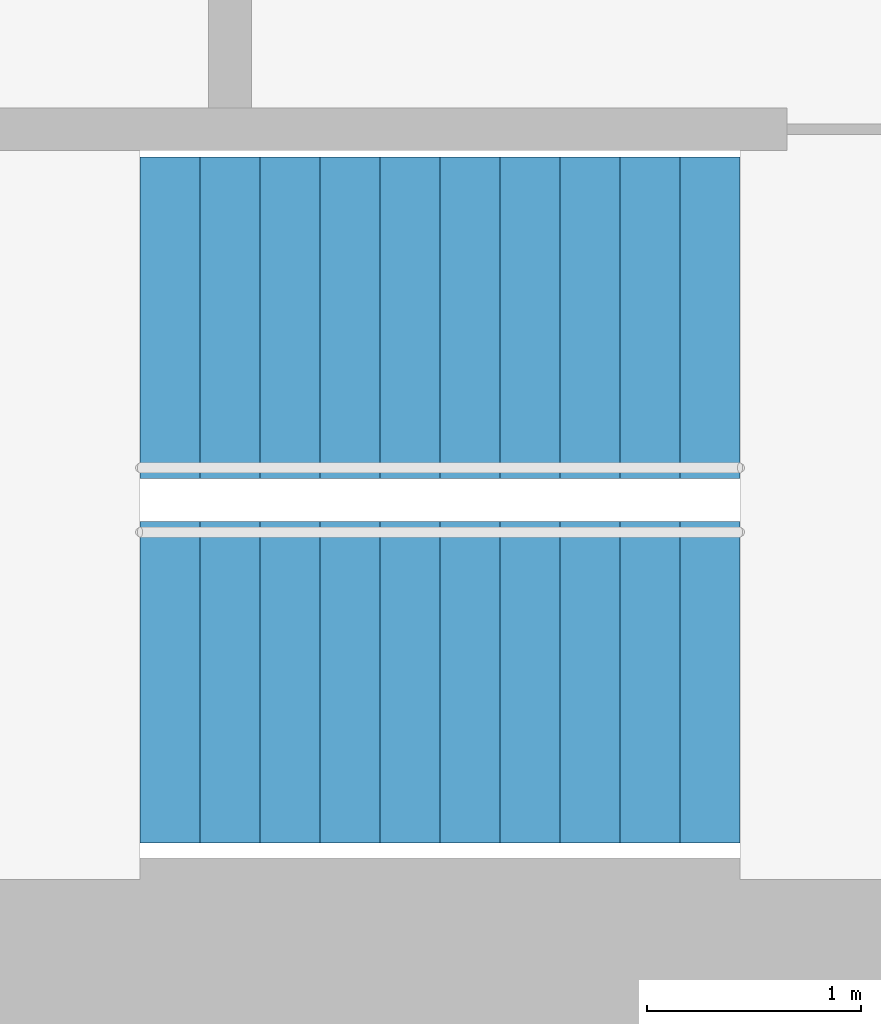
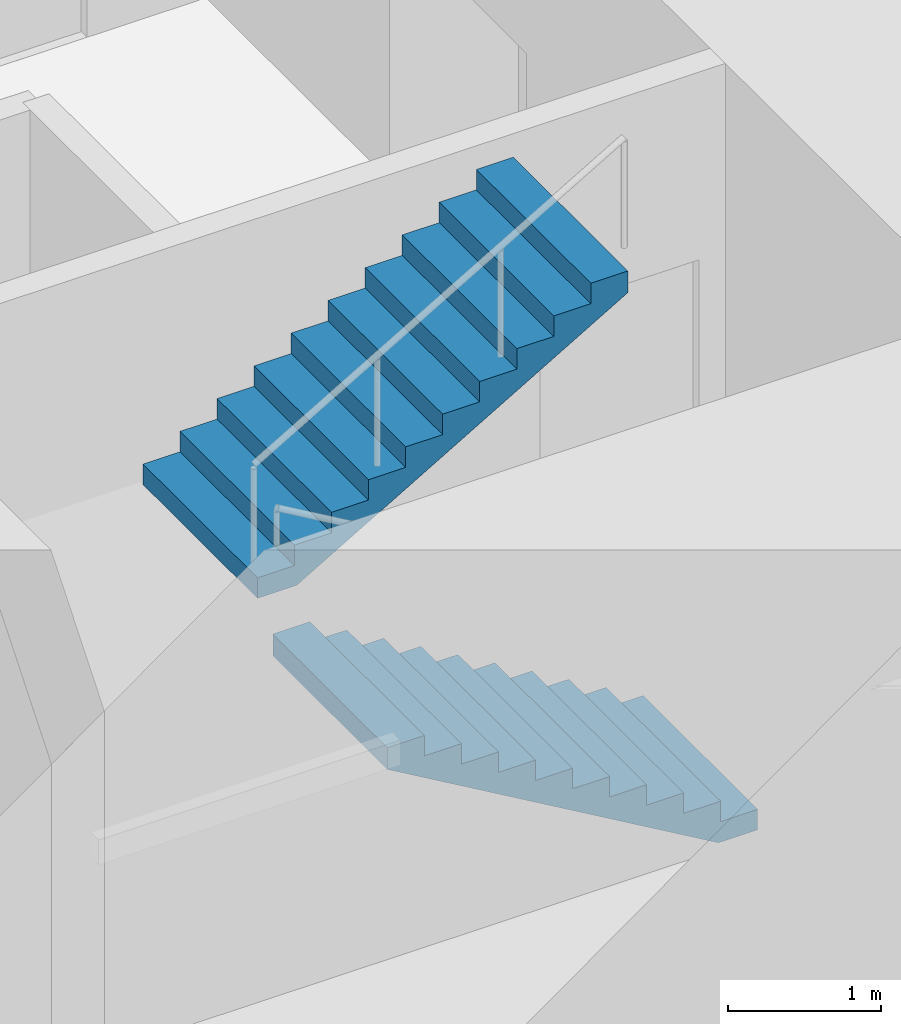
# One storey, part 14 of 15: 2 stair flights, 1 element without a shape of its own.
"""IFC4 building model written with IfcOpenShell, lengths in metres."""

from ifc_helpers import new_model, si_unit, direction, frame, origin, place, context, subcontext, project, spatial, triangles, material, type_object, element, aggregate, save


model = new_model("IFC4")

# Units and contexts
model_context = context("Model", 3, precision=1e-05, world=origin(), true_north=direction((0.0, 1.0)))
body_context = subcontext(model_context, "Body", "Model", "MODEL_VIEW")
ifc_project = project(units=[si_unit("LENGTHUNIT", "METRE"), si_unit("AREAUNIT", "SQUARE_METRE"), si_unit("VOLUMEUNIT", "CUBIC_METRE"), si_unit("PLANEANGLEUNIT", "RADIAN"), si_unit("MASSUNIT", "GRAM", prefix="KILO")], contexts=[model_context])

# Site, building, storey
site_placement = place(None, origin())
site = spatial("IfcSite", under=ifc_project, at=site_placement, CompositionType="ELEMENT")
building_placement = place(site_placement, origin())
building = spatial("IfcBuilding", under=site, at=building_placement, Name="Lantaw Convention Tower", CompositionType="ELEMENT")
storey_placement = place(building_placement, frame((0.0, 0.0, 94.60009765625)))
storey = spatial("IfcBuildingStorey", under=building, at=storey_placement, Name="L22", CompositionType="ELEMENT", Elevation=94.60009765625)

# Stair, stair flights
ifc_material = material(Name="Concrete C35/45", Category="concrete")
stair_type = type_object("IfcStairType", Name="Exit stair 1500 riser 163.64 in 2 flights", PredefinedType="HALF_TURN_STAIR", material=ifc_material)
stair_placement = place(storey_placement, origin())
stair = element("IfcStair", 1, at=stair_placement, inside=storey, type_object=stair_type, Name="Exit stair S2 L22", PredefinedType="HALF_TURN_STAIR")
stair_flight_type = type_object("IfcStairFlightType", Name="Stair flight 1500 riser 163.64", PredefinedType="STRAIGHT", material=ifc_material)
stair_flight_1_placement = place(storey_placement, frame((10.580078125, -5.97998046875, 0.0), z_axis=(0.0, 0.0, 1.0), x_axis=(-1.0, 0.0, 0.0)))
stair_flight_1 = element("IfcStairFlight", 2, at=stair_flight_1_placement, type_object=stair_flight_type, Name="S2 flight 1", NumberOfRisers=11, NumberOfTreads=10, PredefinedType="STRAIGHT", RiserHeight=0.163636364, TreadLength=0.28, context=body_context, shape_type="Tessellation", body=[
    triangles([(0.0, 0.75, 0.0), (0.0, 0.75, 0.163636364), (0.28, 0.75, 0.0), (0.28, 0.75, 0.163636364), (0.28, 0.75, 0.327272728), (0.2970904571225277, 0.75, 0.0), (0.2970904571225277, 0.75, 0.327272728), (0.56, 0.75, 0.1536484344906131), (0.56, 0.75, 0.327272728), (0.56, 0.75, 0.490909092), (0.8400000000000001, 0.75, 0.3172847984906131), (0.8400000000000001, 0.75, 0.490909092), (0.8400000000000001, 0.75, 0.654545456), (1.12, 0.75, 0.4809211624906131), (1.12, 0.75, 0.654545456), (1.12, 0.75, 0.8181818200000001), (1.4000000000000001, 0.75, 0.6445575264906132), (1.4000000000000001, 0.75, 0.8181818200000001), (1.4000000000000001, 0.75, 0.981818184), (1.6800000000000002, 0.75, 0.8081938904906131), (1.6800000000000002, 0.75, 0.981818184), (1.6800000000000002, 0.75, 1.145454548), (1.9600000000000002, 0.75, 0.9718302544906131), (1.9600000000000002, 0.75, 1.145454548), (1.9600000000000002, 0.75, 1.309090912), (2.24, 0.75, 1.135466618490613), (2.24, 0.75, 1.309090912), (2.24, 0.75, 1.472727276), (2.5200000000000005, 0.75, 1.2991029824906133), (2.5200000000000005, 0.75, 1.472727276), (2.5200000000000005, 0.75, 1.6363636400000001), (2.8000000000000003, 0.75, 1.462739346490613), (2.8000000000000003, 0.75, 1.6363636400000001), (0.0, -0.75, 0.0), (0.0, -0.75, 0.163636364), (0.28, -0.75, 0.0), (0.28, -0.75, 0.163636364), (0.28, -0.75, 0.327272728), (0.2970904571225277, -0.75, 0.0), (0.2970904571225277, -0.75, 0.327272728), (0.56, -0.75, 0.1536484344906131), (0.56, -0.75, 0.327272728), (0.56, -0.75, 0.490909092), (0.8400000000000001, -0.75, 0.3172847984906131), (0.8400000000000001, -0.75, 0.490909092), (0.8400000000000001, -0.75, 0.654545456), (1.12, -0.75, 0.4809211624906131), (1.12, -0.75, 0.654545456), (1.12, -0.75, 0.8181818200000001), (1.4000000000000001, -0.75, 0.6445575264906132), (1.4000000000000001, -0.75, 0.8181818200000001), (1.4000000000000001, -0.75, 0.981818184), (1.6800000000000002, -0.75, 0.8081938904906131), (1.6800000000000002, -0.75, 0.981818184), (1.6800000000000002, -0.75, 1.145454548), (1.9600000000000002, -0.75, 0.9718302544906131), (1.9600000000000002, -0.75, 1.145454548), (1.9600000000000002, -0.75, 1.309090912), (2.24, -0.75, 1.135466618490613), (2.24, -0.75, 1.309090912), (2.24, -0.75, 1.472727276), (2.5200000000000005, -0.75, 1.2991029824906133), (2.5200000000000005, -0.75, 1.472727276), (2.5200000000000005, -0.75, 1.6363636400000001), (2.8000000000000003, -0.75, 1.462739346490613), (2.8000000000000003, -0.75, 1.6363636400000001), (0.0, 0.15000000000000002, 0.163636364), (0.0, 0.15000000000000002, 0.0), (0.0, 0.0, 0.163636364), (0.0, 0.0, 0.0), (0.0, -0.15000000000000002, 0.163636364), (0.0, -0.15000000000000002, 0.0), (0.28, 0.15000000000000002, 0.327272728), (0.28, 0.15000000000000002, 0.163636364), (0.28, 0.0, 0.327272728), (0.28, 0.0, 0.163636364), (0.28, -0.15000000000000002, 0.327272728), (0.28, -0.15000000000000002, 0.163636364), (0.56, 0.15000000000000002, 0.490909092), (0.56, 0.15000000000000002, 0.327272728), (0.56, 0.0, 0.490909092), (0.56, 0.0, 0.327272728), (0.56, -0.15000000000000002, 0.490909092), (0.56, -0.15000000000000002, 0.327272728), (0.8400000000000001, 0.15000000000000002, 0.654545456), (0.8400000000000001, 0.15000000000000002, 0.490909092), (0.8400000000000001, 0.0, 0.654545456), (0.8400000000000001, 0.0, 0.490909092), (0.8400000000000001, -0.15000000000000002, 0.654545456), (0.8400000000000001, -0.15000000000000002, 0.490909092), (1.12, 0.15000000000000002, 0.8181818200000001), (1.12, 0.15000000000000002, 0.654545456), (1.12, 0.0, 0.8181818200000001), (1.12, 0.0, 0.654545456), (1.12, -0.15000000000000002, 0.8181818200000001), (1.12, -0.15000000000000002, 0.654545456), (1.4000000000000001, 0.15000000000000002, 0.981818184), (1.4000000000000001, 0.15000000000000002, 0.8181818200000001), (1.4000000000000001, 0.0, 0.981818184), (1.4000000000000001, 0.0, 0.8181818200000001), (1.4000000000000001, -0.15000000000000002, 0.981818184), (1.4000000000000001, -0.15000000000000002, 0.8181818200000001), (1.6800000000000002, 0.15000000000000002, 1.145454548), (1.6800000000000002, 0.15000000000000002, 0.981818184), (1.6800000000000002, 0.0, 1.145454548), (1.6800000000000002, 0.0, 0.981818184), (1.6800000000000002, -0.15000000000000002, 1.145454548), (1.6800000000000002, -0.15000000000000002, 0.981818184), (1.9600000000000002, 0.15000000000000002, 1.309090912), (1.9600000000000002, 0.15000000000000002, 1.145454548), (1.9600000000000002, 0.0, 1.309090912), (1.9600000000000002, 0.0, 1.145454548), (1.9600000000000002, -0.15000000000000002, 1.309090912), (1.9600000000000002, -0.15000000000000002, 1.145454548), (2.24, 0.15000000000000002, 1.472727276), (2.24, 0.15000000000000002, 1.309090912), (2.24, 0.0, 1.472727276), (2.24, 0.0, 1.309090912), (2.24, -0.15000000000000002, 1.472727276), (2.24, -0.15000000000000002, 1.309090912), (2.5200000000000005, 0.15000000000000002, 1.6363636400000001), (2.5200000000000005, 0.15000000000000002, 1.472727276), (2.5200000000000005, 0.0, 1.6363636400000001), (2.5200000000000005, 0.0, 1.472727276), (2.5200000000000005, -0.15000000000000002, 1.6363636400000001), (2.5200000000000005, -0.15000000000000002, 1.472727276), (0.2970904571225277, 0.15000000000000002, 0.327272728), (0.2970904571225277, 0.0, 0.327272728), (0.2970904571225277, -0.15000000000000002, 0.327272728), (2.8000000000000003, 0.15000000000000002, 1.6363636400000001), (2.8000000000000003, 0.0, 1.6363636400000001), (2.8000000000000003, -0.15000000000000002, 1.6363636400000001), (2.8000000000000003, 0.15000000000000002, 1.462739346490613), (2.8000000000000003, 0.0, 1.462739346490613), (2.8000000000000003, -0.15000000000000002, 1.462739346490613), (2.5200000000000005, 0.15000000000000002, 1.2991029824906133), (2.5200000000000005, 0.0, 1.2991029824906133), (2.5200000000000005, -0.15000000000000002, 1.2991029824906133), (2.24, 0.15000000000000002, 1.135466618490613), (2.24, 0.0, 1.135466618490613), (2.24, -0.15000000000000002, 1.135466618490613), (1.9600000000000002, 0.15000000000000002, 0.9718302544906131), (1.9600000000000002, 0.0, 0.9718302544906131), (1.9600000000000002, -0.15000000000000002, 0.9718302544906131), (1.6800000000000002, 0.15000000000000002, 0.8081938904906131), (1.6800000000000002, 0.0, 0.8081938904906131), (1.6800000000000002, -0.15000000000000002, 0.8081938904906131), (1.4000000000000001, 0.15000000000000002, 0.6445575264906132), (1.4000000000000001, 0.0, 0.6445575264906132), (1.4000000000000001, -0.15000000000000002, 0.6445575264906132), (1.12, 0.15000000000000002, 0.4809211624906131), (1.12, 0.0, 0.4809211624906131), (1.12, -0.15000000000000002, 0.4809211624906131), (0.8400000000000001, 0.15000000000000002, 0.3172847984906131), (0.8400000000000001, 0.0, 0.3172847984906131), (0.8400000000000001, -0.15000000000000002, 0.3172847984906131), (0.56, 0.15000000000000002, 0.1536484344906131), (0.56, 0.0, 0.1536484344906131), (0.56, -0.15000000000000002, 0.1536484344906131), (0.2970904571225277, 0.15000000000000002, 0.0), (0.2970904571225277, 0.0, 0.0), (0.2970904571225277, -0.15000000000000002, 0.0), (0.28, 0.15000000000000002, 0.0), (0.28, 0.0, 0.0), (0.28, -0.15000000000000002, 0.0)], [[1, 4, 3], [1, 2, 4], [3, 4, 6], [4, 7, 6], [4, 5, 7], [6, 9, 8], [6, 7, 9], [8, 9, 11], [9, 12, 11], [9, 10, 12], [11, 12, 14], [12, 15, 14], [12, 13, 15], [14, 15, 17], [15, 18, 17], [15, 16, 18], [17, 18, 20], [18, 21, 20], [18, 19, 21], [20, 21, 23], [21, 24, 23], [21, 22, 24], [23, 24, 26], [24, 27, 26], [24, 25, 27], [26, 27, 29], [27, 30, 29], [27, 28, 30], [29, 30, 32], [30, 33, 32], [30, 31, 33], [34, 36, 37], [34, 37, 35], [36, 39, 37], [37, 39, 40], [37, 40, 38], [39, 41, 42], [39, 42, 40], [41, 44, 42], [42, 44, 45], [42, 45, 43], [44, 47, 45], [45, 47, 48], [45, 48, 46], [47, 50, 48], [48, 50, 51], [48, 51, 49], [50, 53, 51], [51, 53, 54], [51, 54, 52], [53, 56, 54], [54, 56, 57], [54, 57, 55], [56, 59, 57], [57, 59, 60], [57, 60, 58], [59, 62, 60], [60, 62, 63], [60, 63, 61], [62, 65, 63], [63, 65, 66], [63, 66, 64], [1, 67, 2], [1, 68, 67], [68, 69, 67], [68, 70, 69], [70, 71, 69], [70, 72, 71], [72, 35, 71], [72, 34, 35], [4, 73, 5], [4, 74, 73], [74, 75, 73], [74, 76, 75], [76, 77, 75], [76, 78, 77], [78, 38, 77], [78, 37, 38], [9, 79, 10], [9, 80, 79], [80, 81, 79], [80, 82, 81], [82, 83, 81], [82, 84, 83], [84, 43, 83], [84, 42, 43], [12, 85, 13], [12, 86, 85], [86, 87, 85], [86, 88, 87], [88, 89, 87], [88, 90, 89], [90, 46, 89], [90, 45, 46], [15, 91, 16], [15, 92, 91], [92, 93, 91], [92, 94, 93], [94, 95, 93], [94, 96, 95], [96, 49, 95], [96, 48, 49], [18, 97, 19], [18, 98, 97], [98, 99, 97], [98, 100, 99], [100, 101, 99], [100, 102, 101], [102, 52, 101], [102, 51, 52], [21, 103, 22], [21, 104, 103], [104, 105, 103], [104, 106, 105], [106, 107, 105], [106, 108, 107], [108, 55, 107], [108, 54, 55], [24, 109, 25], [24, 110, 109], [110, 111, 109], [110, 112, 111], [112, 113, 111], [112, 114, 113], [114, 58, 113], [114, 57, 58], [27, 115, 28], [27, 116, 115], [116, 117, 115], [116, 118, 117], [118, 119, 117], [118, 120, 119], [120, 61, 119], [120, 60, 61], [30, 121, 31], [30, 122, 121], [122, 123, 121], [122, 124, 123], [124, 125, 123], [124, 126, 125], [126, 64, 125], [126, 63, 64], [2, 74, 4], [2, 67, 74], [67, 76, 74], [67, 69, 76], [69, 78, 76], [69, 71, 78], [71, 37, 78], [71, 35, 37], [5, 127, 7], [5, 73, 127], [73, 128, 127], [73, 75, 128], [75, 129, 128], [75, 77, 129], [77, 40, 129], [77, 38, 40], [7, 80, 9], [7, 127, 80], [127, 82, 80], [127, 128, 82], [128, 84, 82], [128, 129, 84], [129, 42, 84], [129, 40, 42], [10, 86, 12], [10, 79, 86], [79, 88, 86], [79, 81, 88], [81, 90, 88], [81, 83, 90], [83, 45, 90], [83, 43, 45], [13, 92, 15], [13, 85, 92], [85, 94, 92], [85, 87, 94], [87, 96, 94], [87, 89, 96], [89, 48, 96], [89, 46, 48], [16, 98, 18], [16, 91, 98], [91, 100, 98], [91, 93, 100], [93, 102, 100], [93, 95, 102], [95, 51, 102], [95, 49, 51], [19, 104, 21], [19, 97, 104], [97, 106, 104], [97, 99, 106], [99, 108, 106], [99, 101, 108], [101, 54, 108], [101, 52, 54], [22, 110, 24], [22, 103, 110], [103, 112, 110], [103, 105, 112], [105, 114, 112], [105, 107, 114], [107, 57, 114], [107, 55, 57], [25, 116, 27], [25, 109, 116], [109, 118, 116], [109, 111, 118], [111, 120, 118], [111, 113, 120], [113, 60, 120], [113, 58, 60], [28, 122, 30], [28, 115, 122], [115, 124, 122], [115, 117, 124], [117, 126, 124], [117, 119, 126], [119, 63, 126], [119, 61, 63], [31, 130, 33], [31, 121, 130], [121, 131, 130], [121, 123, 131], [123, 132, 131], [123, 125, 132], [125, 66, 132], [125, 64, 66], [33, 133, 32], [33, 130, 133], [130, 134, 133], [130, 131, 134], [131, 135, 134], [131, 132, 135], [132, 65, 135], [132, 66, 65], [32, 136, 29], [32, 133, 136], [133, 137, 136], [133, 134, 137], [134, 138, 137], [134, 135, 138], [135, 62, 138], [135, 65, 62], [29, 139, 26], [29, 136, 139], [136, 140, 139], [136, 137, 140], [137, 141, 140], [137, 138, 141], [138, 59, 141], [138, 62, 59], [26, 142, 23], [26, 139, 142], [139, 143, 142], [139, 140, 143], [140, 144, 143], [140, 141, 144], [141, 56, 144], [141, 59, 56], [23, 145, 20], [23, 142, 145], [142, 146, 145], [142, 143, 146], [143, 147, 146], [143, 144, 147], [144, 53, 147], [144, 56, 53], [20, 148, 17], [20, 145, 148], [145, 149, 148], [145, 146, 149], [146, 150, 149], [146, 147, 150], [147, 50, 150], [147, 53, 50], [17, 151, 14], [17, 148, 151], [148, 152, 151], [148, 149, 152], [149, 153, 152], [149, 150, 153], [150, 47, 153], [150, 50, 47], [14, 154, 11], [14, 151, 154], [151, 155, 154], [151, 152, 155], [152, 156, 155], [152, 153, 156], [153, 44, 156], [153, 47, 44], [11, 157, 8], [11, 154, 157], [154, 158, 157], [154, 155, 158], [155, 159, 158], [155, 156, 159], [156, 41, 159], [156, 44, 41], [8, 160, 6], [8, 157, 160], [157, 161, 160], [157, 158, 161], [158, 162, 161], [158, 159, 162], [159, 39, 162], [159, 41, 39], [6, 163, 3], [6, 160, 163], [160, 164, 163], [160, 161, 164], [161, 165, 164], [161, 162, 165], [162, 36, 165], [162, 39, 36], [3, 68, 1], [3, 163, 68], [163, 70, 68], [163, 164, 70], [164, 72, 70], [164, 165, 72], [165, 34, 72], [165, 36, 34]], closed=True),
])
stair_flight_2_placement = place(storey_placement, frame((7.780029296875, -4.280029296875, 1.7998046875), z_axis=(0.0, 0.0, 1.0), x_axis=(1.0, 0.0, 0.0)))
stair_flight_2 = element("IfcStairFlight", 3, at=stair_flight_2_placement, type_object=stair_flight_type, Name="S2 flight 2", NumberOfRisers=11, NumberOfTreads=10, PredefinedType="STRAIGHT", RiserHeight=0.163636364, TreadLength=0.28, context=body_context, shape_type="Tessellation", body=[
    triangles([(0.0, 0.75, 0.0), (0.0, 0.75, 0.163636364), (0.28, 0.75, 0.0), (0.28, 0.75, 0.163636364), (0.28, 0.75, 0.327272728), (0.2970904571225277, 0.75, 0.0), (0.2970904571225277, 0.75, 0.327272728), (0.56, 0.75, 0.1536484344906131), (0.56, 0.75, 0.327272728), (0.56, 0.75, 0.490909092), (0.8400000000000001, 0.75, 0.3172847984906131), (0.8400000000000001, 0.75, 0.490909092), (0.8400000000000001, 0.75, 0.654545456), (1.12, 0.75, 0.4809211624906131), (1.12, 0.75, 0.654545456), (1.12, 0.75, 0.8181818200000001), (1.4000000000000001, 0.75, 0.6445575264906132), (1.4000000000000001, 0.75, 0.8181818200000001), (1.4000000000000001, 0.75, 0.981818184), (1.6800000000000002, 0.75, 0.8081938904906131), (1.6800000000000002, 0.75, 0.981818184), (1.6800000000000002, 0.75, 1.145454548), (1.9600000000000002, 0.75, 0.9718302544906131), (1.9600000000000002, 0.75, 1.145454548), (1.9600000000000002, 0.75, 1.309090912), (2.24, 0.75, 1.135466618490613), (2.24, 0.75, 1.309090912), (2.24, 0.75, 1.472727276), (2.5200000000000005, 0.75, 1.2991029824906133), (2.5200000000000005, 0.75, 1.472727276), (2.5200000000000005, 0.75, 1.6363636400000001), (2.8000000000000003, 0.75, 1.462739346490613), (2.8000000000000003, 0.75, 1.6363636400000001), (0.0, -0.75, 0.0), (0.0, -0.75, 0.163636364), (0.28, -0.75, 0.0), (0.28, -0.75, 0.163636364), (0.28, -0.75, 0.327272728), (0.2970904571225277, -0.75, 0.0), (0.2970904571225277, -0.75, 0.327272728), (0.56, -0.75, 0.1536484344906131), (0.56, -0.75, 0.327272728), (0.56, -0.75, 0.490909092), (0.8400000000000001, -0.75, 0.3172847984906131), (0.8400000000000001, -0.75, 0.490909092), (0.8400000000000001, -0.75, 0.654545456), (1.12, -0.75, 0.4809211624906131), (1.12, -0.75, 0.654545456), (1.12, -0.75, 0.8181818200000001), (1.4000000000000001, -0.75, 0.6445575264906132), (1.4000000000000001, -0.75, 0.8181818200000001), (1.4000000000000001, -0.75, 0.981818184), (1.6800000000000002, -0.75, 0.8081938904906131), (1.6800000000000002, -0.75, 0.981818184), (1.6800000000000002, -0.75, 1.145454548), (1.9600000000000002, -0.75, 0.9718302544906131), (1.9600000000000002, -0.75, 1.145454548), (1.9600000000000002, -0.75, 1.309090912), (2.24, -0.75, 1.135466618490613), (2.24, -0.75, 1.309090912), (2.24, -0.75, 1.472727276), (2.5200000000000005, -0.75, 1.2991029824906133), (2.5200000000000005, -0.75, 1.472727276), (2.5200000000000005, -0.75, 1.6363636400000001), (2.8000000000000003, -0.75, 1.462739346490613), (2.8000000000000003, -0.75, 1.6363636400000001), (0.0, 0.15000000000000002, 0.163636364), (0.0, 0.15000000000000002, 0.0), (0.0, 0.0, 0.163636364), (0.0, 0.0, 0.0), (0.0, -0.15000000000000002, 0.163636364), (0.0, -0.15000000000000002, 0.0), (0.28, 0.15000000000000002, 0.327272728), (0.28, 0.15000000000000002, 0.163636364), (0.28, 0.0, 0.327272728), (0.28, 0.0, 0.163636364), (0.28, -0.15000000000000002, 0.327272728), (0.28, -0.15000000000000002, 0.163636364), (0.56, 0.15000000000000002, 0.490909092), (0.56, 0.15000000000000002, 0.327272728), (0.56, 0.0, 0.490909092), (0.56, 0.0, 0.327272728), (0.56, -0.15000000000000002, 0.490909092), (0.56, -0.15000000000000002, 0.327272728), (0.8400000000000001, 0.15000000000000002, 0.654545456), (0.8400000000000001, 0.15000000000000002, 0.490909092), (0.8400000000000001, 0.0, 0.654545456), (0.8400000000000001, 0.0, 0.490909092), (0.8400000000000001, -0.15000000000000002, 0.654545456), (0.8400000000000001, -0.15000000000000002, 0.490909092), (1.12, 0.15000000000000002, 0.8181818200000001), (1.12, 0.15000000000000002, 0.654545456), (1.12, 0.0, 0.8181818200000001), (1.12, 0.0, 0.654545456), (1.12, -0.15000000000000002, 0.8181818200000001), (1.12, -0.15000000000000002, 0.654545456), (1.4000000000000001, 0.15000000000000002, 0.981818184), (1.4000000000000001, 0.15000000000000002, 0.8181818200000001), (1.4000000000000001, 0.0, 0.981818184), (1.4000000000000001, 0.0, 0.8181818200000001), (1.4000000000000001, -0.15000000000000002, 0.981818184), (1.4000000000000001, -0.15000000000000002, 0.8181818200000001), (1.6800000000000002, 0.15000000000000002, 1.145454548), (1.6800000000000002, 0.15000000000000002, 0.981818184), (1.6800000000000002, 0.0, 1.145454548), (1.6800000000000002, 0.0, 0.981818184), (1.6800000000000002, -0.15000000000000002, 1.145454548), (1.6800000000000002, -0.15000000000000002, 0.981818184), (1.9600000000000002, 0.15000000000000002, 1.309090912), (1.9600000000000002, 0.15000000000000002, 1.145454548), (1.9600000000000002, 0.0, 1.309090912), (1.9600000000000002, 0.0, 1.145454548), (1.9600000000000002, -0.15000000000000002, 1.309090912), (1.9600000000000002, -0.15000000000000002, 1.145454548), (2.24, 0.15000000000000002, 1.472727276), (2.24, 0.15000000000000002, 1.309090912), (2.24, 0.0, 1.472727276), (2.24, 0.0, 1.309090912), (2.24, -0.15000000000000002, 1.472727276), (2.24, -0.15000000000000002, 1.309090912), (2.5200000000000005, 0.15000000000000002, 1.6363636400000001), (2.5200000000000005, 0.15000000000000002, 1.472727276), (2.5200000000000005, 0.0, 1.6363636400000001), (2.5200000000000005, 0.0, 1.472727276), (2.5200000000000005, -0.15000000000000002, 1.6363636400000001), (2.5200000000000005, -0.15000000000000002, 1.472727276), (0.2970904571225277, 0.15000000000000002, 0.327272728), (0.2970904571225277, 0.0, 0.327272728), (0.2970904571225277, -0.15000000000000002, 0.327272728), (2.8000000000000003, 0.15000000000000002, 1.6363636400000001), (2.8000000000000003, 0.0, 1.6363636400000001), (2.8000000000000003, -0.15000000000000002, 1.6363636400000001), (2.8000000000000003, 0.15000000000000002, 1.462739346490613), (2.8000000000000003, 0.0, 1.462739346490613), (2.8000000000000003, -0.15000000000000002, 1.462739346490613), (2.5200000000000005, 0.15000000000000002, 1.2991029824906133), (2.5200000000000005, 0.0, 1.2991029824906133), (2.5200000000000005, -0.15000000000000002, 1.2991029824906133), (2.24, 0.15000000000000002, 1.135466618490613), (2.24, 0.0, 1.135466618490613), (2.24, -0.15000000000000002, 1.135466618490613), (1.9600000000000002, 0.15000000000000002, 0.9718302544906131), (1.9600000000000002, 0.0, 0.9718302544906131), (1.9600000000000002, -0.15000000000000002, 0.9718302544906131), (1.6800000000000002, 0.15000000000000002, 0.8081938904906131), (1.6800000000000002, 0.0, 0.8081938904906131), (1.6800000000000002, -0.15000000000000002, 0.8081938904906131), (1.4000000000000001, 0.15000000000000002, 0.6445575264906132), (1.4000000000000001, 0.0, 0.6445575264906132), (1.4000000000000001, -0.15000000000000002, 0.6445575264906132), (1.12, 0.15000000000000002, 0.4809211624906131), (1.12, 0.0, 0.4809211624906131), (1.12, -0.15000000000000002, 0.4809211624906131), (0.8400000000000001, 0.15000000000000002, 0.3172847984906131), (0.8400000000000001, 0.0, 0.3172847984906131), (0.8400000000000001, -0.15000000000000002, 0.3172847984906131), (0.56, 0.15000000000000002, 0.1536484344906131), (0.56, 0.0, 0.1536484344906131), (0.56, -0.15000000000000002, 0.1536484344906131), (0.2970904571225277, 0.15000000000000002, 0.0), (0.2970904571225277, 0.0, 0.0), (0.2970904571225277, -0.15000000000000002, 0.0), (0.28, 0.15000000000000002, 0.0), (0.28, 0.0, 0.0), (0.28, -0.15000000000000002, 0.0)], [[1, 4, 3], [1, 2, 4], [3, 4, 6], [4, 7, 6], [4, 5, 7], [6, 9, 8], [6, 7, 9], [8, 9, 11], [9, 12, 11], [9, 10, 12], [11, 12, 14], [12, 15, 14], [12, 13, 15], [14, 15, 17], [15, 18, 17], [15, 16, 18], [17, 18, 20], [18, 21, 20], [18, 19, 21], [20, 21, 23], [21, 24, 23], [21, 22, 24], [23, 24, 26], [24, 27, 26], [24, 25, 27], [26, 27, 29], [27, 30, 29], [27, 28, 30], [29, 30, 32], [30, 33, 32], [30, 31, 33], [34, 36, 37], [34, 37, 35], [36, 39, 37], [37, 39, 40], [37, 40, 38], [39, 41, 42], [39, 42, 40], [41, 44, 42], [42, 44, 45], [42, 45, 43], [44, 47, 45], [45, 47, 48], [45, 48, 46], [47, 50, 48], [48, 50, 51], [48, 51, 49], [50, 53, 51], [51, 53, 54], [51, 54, 52], [53, 56, 54], [54, 56, 57], [54, 57, 55], [56, 59, 57], [57, 59, 60], [57, 60, 58], [59, 62, 60], [60, 62, 63], [60, 63, 61], [62, 65, 63], [63, 65, 66], [63, 66, 64], [1, 67, 2], [1, 68, 67], [68, 69, 67], [68, 70, 69], [70, 71, 69], [70, 72, 71], [72, 35, 71], [72, 34, 35], [4, 73, 5], [4, 74, 73], [74, 75, 73], [74, 76, 75], [76, 77, 75], [76, 78, 77], [78, 38, 77], [78, 37, 38], [9, 79, 10], [9, 80, 79], [80, 81, 79], [80, 82, 81], [82, 83, 81], [82, 84, 83], [84, 43, 83], [84, 42, 43], [12, 85, 13], [12, 86, 85], [86, 87, 85], [86, 88, 87], [88, 89, 87], [88, 90, 89], [90, 46, 89], [90, 45, 46], [15, 91, 16], [15, 92, 91], [92, 93, 91], [92, 94, 93], [94, 95, 93], [94, 96, 95], [96, 49, 95], [96, 48, 49], [18, 97, 19], [18, 98, 97], [98, 99, 97], [98, 100, 99], [100, 101, 99], [100, 102, 101], [102, 52, 101], [102, 51, 52], [21, 103, 22], [21, 104, 103], [104, 105, 103], [104, 106, 105], [106, 107, 105], [106, 108, 107], [108, 55, 107], [108, 54, 55], [24, 109, 25], [24, 110, 109], [110, 111, 109], [110, 112, 111], [112, 113, 111], [112, 114, 113], [114, 58, 113], [114, 57, 58], [27, 115, 28], [27, 116, 115], [116, 117, 115], [116, 118, 117], [118, 119, 117], [118, 120, 119], [120, 61, 119], [120, 60, 61], [30, 121, 31], [30, 122, 121], [122, 123, 121], [122, 124, 123], [124, 125, 123], [124, 126, 125], [126, 64, 125], [126, 63, 64], [2, 74, 4], [2, 67, 74], [67, 76, 74], [67, 69, 76], [69, 78, 76], [69, 71, 78], [71, 37, 78], [71, 35, 37], [5, 127, 7], [5, 73, 127], [73, 128, 127], [73, 75, 128], [75, 129, 128], [75, 77, 129], [77, 40, 129], [77, 38, 40], [7, 80, 9], [7, 127, 80], [127, 82, 80], [127, 128, 82], [128, 84, 82], [128, 129, 84], [129, 42, 84], [129, 40, 42], [10, 86, 12], [10, 79, 86], [79, 88, 86], [79, 81, 88], [81, 90, 88], [81, 83, 90], [83, 45, 90], [83, 43, 45], [13, 92, 15], [13, 85, 92], [85, 94, 92], [85, 87, 94], [87, 96, 94], [87, 89, 96], [89, 48, 96], [89, 46, 48], [16, 98, 18], [16, 91, 98], [91, 100, 98], [91, 93, 100], [93, 102, 100], [93, 95, 102], [95, 51, 102], [95, 49, 51], [19, 104, 21], [19, 97, 104], [97, 106, 104], [97, 99, 106], [99, 108, 106], [99, 101, 108], [101, 54, 108], [101, 52, 54], [22, 110, 24], [22, 103, 110], [103, 112, 110], [103, 105, 112], [105, 114, 112], [105, 107, 114], [107, 57, 114], [107, 55, 57], [25, 116, 27], [25, 109, 116], [109, 118, 116], [109, 111, 118], [111, 120, 118], [111, 113, 120], [113, 60, 120], [113, 58, 60], [28, 122, 30], [28, 115, 122], [115, 124, 122], [115, 117, 124], [117, 126, 124], [117, 119, 126], [119, 63, 126], [119, 61, 63], [31, 130, 33], [31, 121, 130], [121, 131, 130], [121, 123, 131], [123, 132, 131], [123, 125, 132], [125, 66, 132], [125, 64, 66], [33, 133, 32], [33, 130, 133], [130, 134, 133], [130, 131, 134], [131, 135, 134], [131, 132, 135], [132, 65, 135], [132, 66, 65], [32, 136, 29], [32, 133, 136], [133, 137, 136], [133, 134, 137], [134, 138, 137], [134, 135, 138], [135, 62, 138], [135, 65, 62], [29, 139, 26], [29, 136, 139], [136, 140, 139], [136, 137, 140], [137, 141, 140], [137, 138, 141], [138, 59, 141], [138, 62, 59], [26, 142, 23], [26, 139, 142], [139, 143, 142], [139, 140, 143], [140, 144, 143], [140, 141, 144], [141, 56, 144], [141, 59, 56], [23, 145, 20], [23, 142, 145], [142, 146, 145], [142, 143, 146], [143, 147, 146], [143, 144, 147], [144, 53, 147], [144, 56, 53], [20, 148, 17], [20, 145, 148], [145, 149, 148], [145, 146, 149], [146, 150, 149], [146, 147, 150], [147, 50, 150], [147, 53, 50], [17, 151, 14], [17, 148, 151], [148, 152, 151], [148, 149, 152], [149, 153, 152], [149, 150, 153], [150, 47, 153], [150, 50, 47], [14, 154, 11], [14, 151, 154], [151, 155, 154], [151, 152, 155], [152, 156, 155], [152, 153, 156], [153, 44, 156], [153, 47, 44], [11, 157, 8], [11, 154, 157], [154, 158, 157], [154, 155, 158], [155, 159, 158], [155, 156, 159], [156, 41, 159], [156, 44, 41], [8, 160, 6], [8, 157, 160], [157, 161, 160], [157, 158, 161], [158, 162, 161], [158, 159, 162], [159, 39, 162], [159, 41, 39], [6, 163, 3], [6, 160, 163], [160, 164, 163], [160, 161, 164], [161, 165, 164], [161, 162, 165], [162, 36, 165], [162, 39, 36], [3, 68, 1], [3, 163, 68], [163, 70, 68], [163, 164, 70], [164, 72, 70], [164, 165, 72], [165, 34, 72], [165, 36, 34]], closed=True),
])
aggregate(stair, [stair_flight_1, stair_flight_2])

save(model, "model.ifc")
